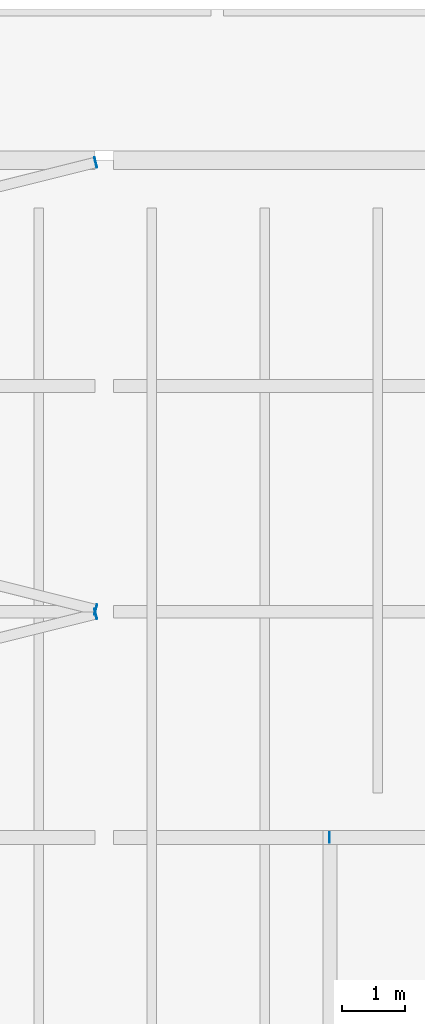
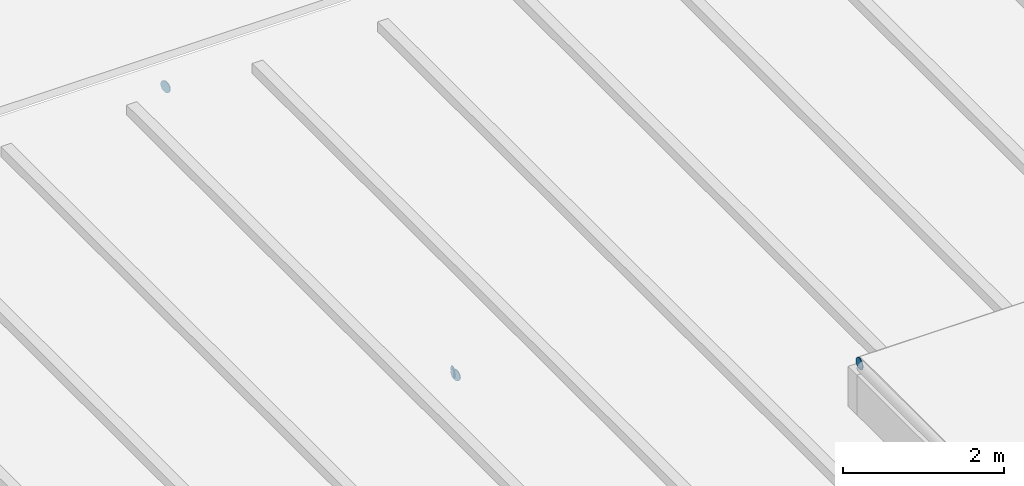
# One storey, part 89 of 120: 4 discrete accessories.
"""IFC4 building model written with IfcOpenShell, lengths in metres."""

from ifc_helpers import new_model, si_unit, direction, frame, origin, origin_2d, place, context, subcontext, project, spatial, circle, extrude, material, layer, layer_set, type_object, element, save


model = new_model("IFC4")

# Units and contexts
model_context = context("Model", 3, precision=1e-05, world=origin(), true_north=direction((0.0, 1.0)))
body_context = subcontext(model_context, "Body", "Model", "MODEL_VIEW")
ifc_project = project(units=[si_unit("LENGTHUNIT", "METRE"), si_unit("AREAUNIT", "SQUARE_METRE"), si_unit("VOLUMEUNIT", "CUBIC_METRE"), si_unit("PLANEANGLEUNIT", "RADIAN"), si_unit("MASSUNIT", "GRAM", prefix="KILO")], contexts=[model_context])

# Site, building, storey
site_placement = place(None, origin())
site = spatial("IfcSite", under=ifc_project, at=site_placement, CompositionType="ELEMENT")
building_placement = place(site_placement, origin())
building = spatial("IfcBuilding", under=site, at=building_placement, Name="Kupolbacken Congress Centre", CompositionType="ELEMENT")
storey_placement = place(building_placement, frame((0.0, 0.0, 21.60009765625)))
storey = spatial("IfcBuildingStorey", under=building, at=storey_placement, Name="L06", CompositionType="ELEMENT", Elevation=21.60009765625)

# Discrete accessories
ifc_material = material(Name="Steel S355", Category="steel")
ifc_layer = layer(ifc_material, 0.011962890625)
ifc_layer_set = layer_set([ifc_layer], Name="Steel S355")
discrete_accessory_type = type_object("IfcDiscreteAccessoryType", Name="EC2 tube end cap plate 168 dia x 12", PredefinedType="BRACKET", material=ifc_layer_set)
for number, where, z_axis, x_axis, name in (
    (1, (136.6591796875, 107.96484375, -0.084228515625), (0.970142500145, 0.242535625036, 0.0), (-0.242535625036, 0.970142500145, 0.0), "End cap plate HR/RB/03-17 B"),
    (2, (136.6591796875, 108.03515625, -0.084228515625), (0.970142500145, -0.242535625036, 0.0), (0.242535625036, 0.970142500145, 0.0), "End cap plate HR/RB/03-18 A"),
    (3, (136.6591796875, 115.164794921875, -0.084228515625), (0.970142500145, 0.242535625036, 0.0), (-0.242535625036, 0.970142500145, 0.0), "End cap plate HR/RB/03-19 B"),
    (4, (140.39990234375, 104.39990234375, 0.944091796875), (-1.0, 0.0, 0.0), (0.0, -1.0, 0.0), "End cap plate RD/RL6/FN A"),
):
    element("IfcDiscreteAccessory", number, at=place(storey_placement, frame(where, z_axis=z_axis, x_axis=x_axis)), inside=storey, type_object=discrete_accessory_type, Name=name, PredefinedType="BRACKET", context=body_context, shape_type="SweptSolid", body=[
        extrude(circle(Radius=0.084228515625, at=origin_2d()), origin(), (0.0, 0.0, 1.0), 0.011962890625),
    ])

save(model, "model.ifc")
